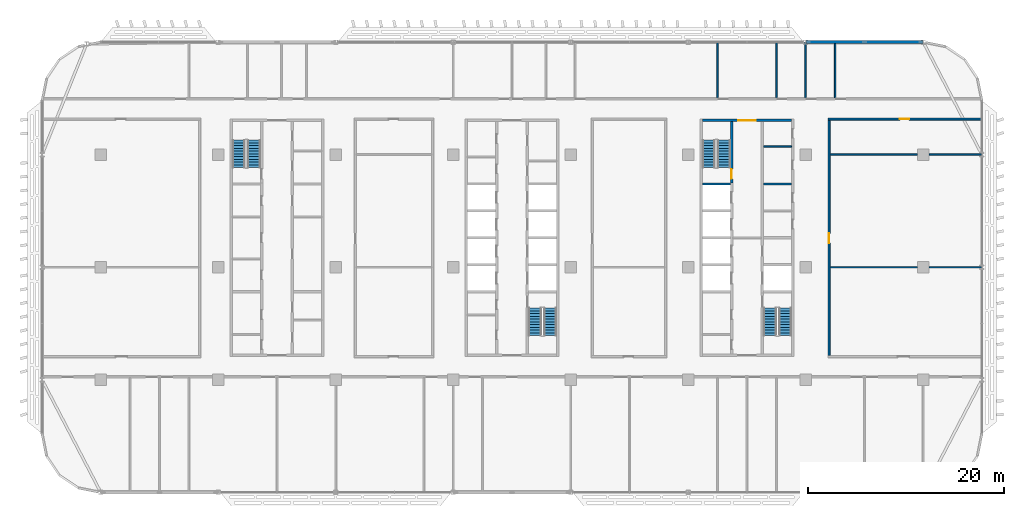
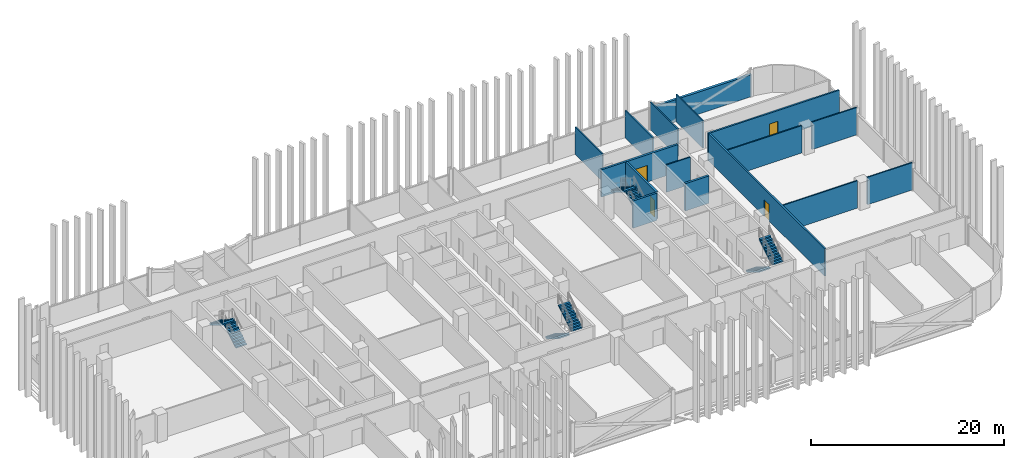
# One storey, part 17 of 28: 16 walls, 8 stair flights, 4 doors, 4 openings, 4 elements without a shape of their own.
"""IFC4 building model written with IfcOpenShell, lengths in metres."""

from ifc_helpers import new_model, si_unit, direction, frame, frame_2d, origin, place, context, subcontext, project, spatial, polyline, rectangle, outline, extrude, material, layer, layer_set, type_object, element, fill, aggregate, save


model = new_model("IFC4")

# Units and contexts
model_context = context("Model", 3, precision=1e-05, world=origin(), true_north=direction((0.0, 1.0)))
body_context = subcontext(model_context, "Body", "Model", "MODEL_VIEW")
ifc_project = project(units=[si_unit("LENGTHUNIT", "METRE"), si_unit("AREAUNIT", "SQUARE_METRE"), si_unit("VOLUMEUNIT", "CUBIC_METRE"), si_unit("PLANEANGLEUNIT", "RADIAN"), si_unit("MASSUNIT", "GRAM", prefix="KILO")], contexts=[model_context])

# Site, building, storey
site_placement = place(None, origin())
site = spatial("IfcSite", under=ifc_project, at=site_placement, CompositionType="ELEMENT")
building_placement = place(site_placement, origin())
building = spatial("IfcBuilding", under=site, at=building_placement, Name="Mahtab Terrace Research Tower", CompositionType="ELEMENT")
storey_placement = place(building_placement, frame((0.0, 0.0, 174.39990234375)))
storey = spatial("IfcBuildingStorey", under=building, at=storey_placement, Name="L41", CompositionType="ELEMENT", Elevation=174.39990234375)

# Wall
ifc_material_1 = material(Name="Gypsum board partition")
ifc_layer_1 = layer(ifc_material_1, 0.14990234375)
ifc_layer_set_1 = layer_set([ifc_layer_1], Name="Core partition 150")
wall_type_1 = type_object("IfcWallType", Name="Core partition 150", PredefinedType="PARTITIONING", material=ifc_layer_set_1)
wall_1_placement = place(storey_placement, frame((25.699951171875, 12.35498046875, 0.0), z_axis=(0.0, 0.0, 1.0), x_axis=(1.0, 0.0, 0.0)))
element("IfcWall", 1, at=wall_1_placement, inside=storey, type_object=wall_type_1, Name="Core wall C pEN936", PredefinedType="PARTITIONING", context=body_context, shape_type="SweptSolid", body=[
    extrude(rectangle(XDim=2.85009765625, YDim=0.14990234375, at=frame_2d((1.425048828125, 0.0))), origin(), (0.0, 0.0, 1.0), 3.460205078125),
])

# Wall, opening, door
ifc_material_2 = material(Name="Concrete C70/85", Category="concrete")
ifc_layer_2 = layer(ifc_material_2, 0.25)
ifc_layer_set_2 = layer_set([ifc_layer_2], Name="Core wall 250")
wall_type_2 = type_object("IfcWallType", Name="Core wall 250", PredefinedType="SOLIDWALL", material=ifc_layer_set_2)
wall_2_placement = place(storey_placement, frame((19.449951171875, 15.0, 0.0), z_axis=(0.0, 0.0, 1.0), x_axis=(1.0, 0.0, 0.0)))
wall_2 = element("IfcWall", 2, at=wall_2_placement, inside=storey, type_object=wall_type_2, Name="Core wall C endN", PredefinedType="SOLIDWALL", context=body_context, shape_type="SweptSolid", body=[
    extrude(rectangle(XDim=9.10009765625, YDim=0.25, at=frame_2d((4.550048828125, 0.0))), origin(), (0.0, 0.0, 1.0), 3.460205078125),
])
opening_1_placement = place(wall_2_placement, frame((3.64990234375, 0.0, 0.0)))
opening_1 = element("IfcOpeningElement", 3, at=opening_1_placement, cuts=wall_2, Name="Opening C-N1", PredefinedType="OPENING", context=body_context, shape_type="SweptSolid", body=[
    extrude(rectangle(XDim=1.800048828125, YDim=2.10009765625, at=frame_2d((0.89990234375, 1.050048828125))), frame((0.0, 0.135009765625, 0.0), z_axis=(0.0, -1.0, 0.0), x_axis=(1.0, 0.0, 0.0)), (0.0, 0.0, 1.0), 0.27001953125),
])
ifc_material_3 = material(Name="Steel fire door", Category="steel")
door_type_1 = type_object("IfcDoorType", Name="Lobby double door 1800x2100 1 HR", OperationType="DOUBLE_DOOR_SINGLE_SWING", PredefinedType="DOOR", material=ifc_material_3)
door_1_placement = place(opening_1_placement, origin())
door_1 = element("IfcDoor", 4, at=door_1_placement, inside=storey, type_object=door_type_1, Name="Core entrance door C N", OperationType="DOUBLE_DOOR_SINGLE_SWING", OverallHeight=2.10009765625, OverallWidth=1.800048828125, PredefinedType="DOOR", context=body_context, shape_type="SweptSolid", body=[
    extrude(rectangle(XDim=1.800048828125, YDim=2.10009765625, at=frame_2d((0.89990234375, 1.050048828125))), frame((0.0, 0.02490234375, 0.0), z_axis=(0.0, -1.0, 0.0), x_axis=(1.0, 0.0, 0.0)), (0.0, 0.0, 1.0), 0.050048828125),
])
fill(opening_1, door_1)

wall_3_placement = place(storey_placement, frame((22.425048828125, 14.875, 0.0), z_axis=(0.0, 0.0, 1.0), x_axis=(0.0, -1.0, 0.0)))
wall_3 = element("IfcWall", 5, at=wall_3_placement, inside=storey, type_object=wall_type_2, Name="Core wall C innerWN", PredefinedType="SOLIDWALL", context=body_context, shape_type="SweptSolid", body=[
    extrude(rectangle(XDim=6.25, YDim=0.25, at=frame_2d((3.125, 0.0))), origin(), (0.0, 0.0, 1.0), 3.460205078125),
])
opening_2_placement = place(wall_3_placement, frame((4.85009765625, 0.0, 0.0)))
opening_2 = element("IfcOpeningElement", 6, at=opening_2_placement, cuts=wall_3, Name="Opening C-ST3", PredefinedType="OPENING", context=body_context, shape_type="SweptSolid", body=[
    extrude(rectangle(XDim=1.0, YDim=2.10009765625, at=frame_2d((0.5, 1.050048828125))), frame((0.0, 0.135009765625, 0.0), z_axis=(0.0, -1.0, 0.0), x_axis=(1.0, 0.0, 0.0)), (0.0, 0.0, 1.0), 0.27001953125),
])
door_type_2 = type_object("IfcDoorType", Name="Stair door 1000x2100 1.5 HR", OperationType="NOTDEFINED", PredefinedType="DOOR", material=ifc_material_3)
door_2_placement = place(opening_2_placement, origin())
door_2 = element("IfcDoor", 7, at=door_2_placement, inside=storey, type_object=door_type_2, Name="Stair door ST3 L41", OperationType="SINGLE_SWING_RIGHT", OverallHeight=2.10009765625, OverallWidth=1.0, PredefinedType="DOOR", context=body_context, shape_type="SweptSolid", body=[
    extrude(rectangle(XDim=1.0, YDim=2.10009765625, at=frame_2d((0.5, 1.050048828125))), frame((0.0, 0.02490234375, 0.0), z_axis=(0.0, -1.0, 0.0), x_axis=(1.0, 0.0, 0.0)), (0.0, 0.0, 1.0), 0.050048828125),
])
fill(opening_2, door_2)

# Walls
for number, where, z_axis, x_axis, name in (
    (8, (19.449951171875, 8.5, 0.0), (0.0, 0.0, 1.0), (1.0, 0.0, 0.0), "Core wall C divW4"),
    (9, (25.699951171875, 8.5, 0.0), (0.0, 0.0, 1.0), (1.0, 0.0, 0.0), "Core wall C divE4"),
):
    element("IfcWall", number, at=place(storey_placement, frame(where, z_axis=z_axis, x_axis=x_axis)), inside=storey, type_object=wall_type_2, Name=name, PredefinedType="SOLIDWALL", context=body_context, shape_type="SweptSolid", body=[
        extrude(rectangle(XDim=2.85009765625, YDim=0.25, at=frame_2d((1.425048828125, 0.0))), origin(), (0.0, 0.0, 1.0), 3.460205078125),
    ])
ifc_material_4 = material(Name="Black aluminium cladding panel", Category="aluminium")
ifc_layer_3 = layer(ifc_material_4, 0.300048828125)
ifc_layer_set_3 = layer_set([ifc_layer_3], Name="Opaque facade wall 300")
wall_type_3 = type_object("IfcWallType", Name="Opaque facade wall 300", PredefinedType="NOTDEFINED", material=ifc_layer_set_3)
wall_4_placement = place(storey_placement, frame((41.985107421875, 23.0, 0.0), z_axis=(0.0, 0.0, 1.0), x_axis=(-1.0, 0.0, 0.0)))
element("IfcWall", 10, at=wall_4_placement, inside=storey, type_object=wall_type_3, Name="Opaque facade wall L41 N3", PredefinedType="NOTDEFINED", context=body_context, shape_type="SweptSolid", body=[
    extrude(rectangle(XDim=11.97021484375, YDim=0.300048828125, at=frame_2d((5.985107421875, 0.0))), origin(), (0.0, 0.0, 1.0), 2.781982421875),
])

# Wall, opening, door
ifc_material_5 = material(Name="Gypsum board corridor wall on steel studs", Category="steel")
ifc_layer_4 = layer(ifc_material_5, 0.199951171875)
ifc_layer_set_4 = layer_set([ifc_layer_4], Name="WALL CORRIDOR 200")
wall_type_4 = type_object("IfcWallType", Name="WALL CORRIDOR 200", PredefinedType="PARTITIONING", material=ifc_layer_set_4)
wall_5_placement = place(storey_placement, frame((32.300048828125, 15.125, 0.0), z_axis=(0.0, 0.0, 1.0), x_axis=(1.0, 0.0, 0.0)))
wall_5 = element("IfcWall", 11, at=wall_5_placement, inside=storey, type_object=wall_type_4, Name="L41-W026", PredefinedType="PARTITIONING", context=body_context, shape_type="SweptSolid", body=[
    extrude(rectangle(XDim=15.675048828125, YDim=0.199951171875, at=frame_2d((7.83740234375, 0.0))), origin(), (0.0, 0.0, 1.0), 3.460205078125),
])
opening_3_placement = place(wall_5_placement, frame((7.300048828125, 0.0, 0.0)))
opening_3 = element("IfcOpeningElement", 12, at=opening_3_placement, cuts=wall_5, Name="Opening L41-126", PredefinedType="OPENING", context=body_context, shape_type="SweptSolid", body=[
    extrude(rectangle(XDim=1.0, YDim=2.10009765625, at=frame_2d((0.5, 1.050048828125))), frame((0.0, 0.10986328125, 0.0), z_axis=(0.0, -1.0, 0.0), x_axis=(1.0, 0.0, 0.0)), (0.0, 0.0, 1.0), 0.219970703125),
])
ifc_material_6 = material(Name="Timber door leaf in steel frame", Category="steel")
door_type_3 = type_object("IfcDoorType", Name="DOOR 1000X2100 FD30S", OperationType="SINGLE_SWING_LEFT", PredefinedType="DOOR", material=ifc_material_6)
door_3_placement = place(opening_3_placement, origin())
door_3 = element("IfcDoor", 13, at=door_3_placement, inside=storey, type_object=door_type_3, Name="Door L41-126", OperationType="SINGLE_SWING_LEFT", OverallHeight=2.10009765625, OverallWidth=1.0, PredefinedType="DOOR", context=body_context, shape_type="SweptSolid", body=[
    extrude(rectangle(XDim=1.0, YDim=2.10009765625, at=frame_2d((0.5, 1.050048828125))), frame((0.0, 0.02490234375, 0.0), z_axis=(0.0, -1.0, 0.0), x_axis=(1.0, 0.0, 0.0)), (0.0, 0.0, 1.0), 0.050048828125),
])
fill(opening_3, door_3)

wall_6_placement = place(storey_placement, frame((32.39990234375, -9.02490234375, 0.0), z_axis=(0.0, 0.0, 1.0), x_axis=(0.0, 1.0, 0.0)))
wall_6 = element("IfcWall", 14, at=wall_6_placement, inside=storey, type_object=wall_type_4, Name="L41-W057", PredefinedType="PARTITIONING", context=body_context, shape_type="SweptSolid", body=[
    extrude(rectangle(XDim=24.0498046875, YDim=0.199951171875, at=frame_2d((12.02490234375, 0.0))), origin(), (0.0, 0.0, 1.0), 3.460205078125),
])
opening_4_placement = place(wall_6_placement, frame((11.5, 0.0, 0.0)))
opening_4 = element("IfcOpeningElement", 15, at=opening_4_placement, cuts=wall_6, Name="Opening L41-122", PredefinedType="OPENING", context=body_context, shape_type="SweptSolid", body=[
    extrude(rectangle(XDim=1.0, YDim=2.10009765625, at=frame_2d((0.5, 1.050048828125))), frame((0.0, 0.10986328125, 0.0), z_axis=(0.0, -1.0, 0.0), x_axis=(1.0, 0.0, 0.0)), (0.0, 0.0, 1.0), 0.219970703125),
])
door_4_placement = place(opening_4_placement, origin())
door_4 = element("IfcDoor", 16, at=door_4_placement, inside=storey, type_object=door_type_3, Name="Door L41-122", OperationType="SINGLE_SWING_RIGHT", OverallHeight=2.10009765625, OverallWidth=1.0, PredefinedType="DOOR", context=body_context, shape_type="SweptSolid", body=[
    extrude(rectangle(XDim=1.0, YDim=2.10009765625, at=frame_2d((0.5, 1.050048828125))), frame((0.0, 0.02490234375, 0.0), z_axis=(0.0, -1.0, 0.0), x_axis=(1.0, 0.0, 0.0)), (0.0, 0.0, 1.0), 0.050048828125),
])
fill(opening_4, door_4)

# Walls
ifc_material_7 = material(Name="Gypsum board partition on steel studs", Category="steel")
ifc_layer_5 = layer(ifc_material_7, 0.14990234375)
ifc_layer_set_5 = layer_set([ifc_layer_5], Name="WALL PARTITION 150")
wall_type_5 = type_object("IfcWallType", Name="WALL PARTITION 150", PredefinedType="PARTITIONING", material=ifc_layer_set_5)
wall_7_placement = place(storey_placement, frame((32.5, 0.0, 0.0), z_axis=(0.0, 0.0, 1.0), x_axis=(1.0, 0.0, 0.0)))
element("IfcWall", 17, at=wall_7_placement, inside=storey, type_object=wall_type_5, Name="L41-W018", PredefinedType="PARTITIONING", context=body_context, shape_type="SweptSolid", body=[
    extrude(rectangle(XDim=8.89990234375, YDim=0.14990234375, at=frame_2d((4.449951171875, 0.0))), origin(), (0.0, 0.0, 1.0), 3.460205078125),
])
wall_8_placement = place(storey_placement, frame((42.60009765625, 0.0, 0.0), z_axis=(0.0, 0.0, 1.0), x_axis=(1.0, 0.0, 0.0)))
element("IfcWall", 18, at=wall_8_placement, inside=storey, type_object=wall_type_5, Name="L41-W019", PredefinedType="PARTITIONING", context=body_context, shape_type="SweptSolid", body=[
    extrude(rectangle(XDim=5.375, YDim=0.14990234375, at=frame_2d((2.6875, 0.0))), origin(), (0.0, 0.0, 1.0), 3.460205078125),
])
wall_9_placement = place(storey_placement, frame((32.5, 11.5, 0.0), z_axis=(0.0, 0.0, 1.0), x_axis=(1.0, 0.0, 0.0)))
element("IfcWall", 19, at=wall_9_placement, inside=storey, type_object=wall_type_5, Name="L41-W021", PredefinedType="PARTITIONING", context=body_context, shape_type="SweptSolid", body=[
    extrude(rectangle(XDim=8.89990234375, YDim=0.14990234375, at=frame_2d((4.449951171875, 0.0))), origin(), (0.0, 0.0, 1.0), 3.460205078125),
])
wall_10_placement = place(storey_placement, frame((42.60009765625, 11.5, 0.0), z_axis=(0.0, 0.0, 1.0), x_axis=(1.0, 0.0, 0.0)))
element("IfcWall", 20, at=wall_10_placement, inside=storey, type_object=wall_type_5, Name="L41-W022", PredefinedType="PARTITIONING", context=body_context, shape_type="SweptSolid", body=[
    extrude(rectangle(XDim=5.375, YDim=0.14990234375, at=frame_2d((2.6875, 0.0))), origin(), (0.0, 0.0, 1.0), 3.460205078125),
])
for number, where, z_axis, x_axis, name in (
    (21, (21.0, 17.300048828125, 0.0), (0.0, 0.0, 1.0), (0.0, 1.0, 0.0), "L41-W052"),
    (22, (27.0, 17.300048828125, 0.0), (0.0, 0.0, 1.0), (0.0, 1.0, 0.0), "L41-W055"),
    (23, (30.0, 17.300048828125, 0.0), (0.0, 0.0, 1.0), (0.0, 1.0, 0.0), "L41-W056"),
):
    element("IfcWall", number, at=place(storey_placement, frame(where, z_axis=z_axis, x_axis=x_axis)), inside=storey, type_object=wall_type_5, Name=name, PredefinedType="PARTITIONING", context=body_context, shape_type="SweptSolid", body=[
        extrude(rectangle(XDim=5.675048828125, YDim=0.14990234375, at=frame_2d((2.83740234375, 0.0))), origin(), (0.0, 0.0, 1.0), 3.460205078125),
    ])
wall_11_placement = place(storey_placement, frame((33.0, 17.300048828125, 0.0), z_axis=(0.0, 0.0, 1.0), x_axis=(0.0, 1.0, 0.0)))
element("IfcWall", 24, at=wall_11_placement, inside=storey, type_object=wall_type_5, Name="L41-W058", PredefinedType="PARTITIONING", context=body_context, shape_type="SweptSolid", body=[
    extrude(rectangle(XDim=5.550048828125, YDim=0.14990234375, at=frame_2d((2.77490234375, 0.0))), origin(), (0.0, 0.0, 1.0), 3.460205078125),
])

# Stair, stair flights
ifc_material_8 = material(Name="Exit stair half-turn")
stair_type = type_object("IfcStairType", Name="Exit stair half-turn", PredefinedType="HALF_TURN_STAIR", material=ifc_material_8)
stair_1_placement = place(storey_placement, origin())
stair_1 = element("IfcStair", 25, at=stair_1_placement, inside=storey, type_object=stair_type, Name="L41 Protected exit stair ST1", PredefinedType="HALF_TURN_STAIR")
ifc_material_9 = material(Name="Concrete C40/50", Category="concrete")
stair_flight_type = type_object("IfcStairFlightType", Name="Exit stair flight 1300", PredefinedType="STRAIGHT", material=ifc_material_9)
stair_flight_1_placement = place(storey_placement, frame((-26.35009765625, 10.175048828125, 0.0), z_axis=(0.0, 0.0, 1.0), x_axis=(0.0, 1.0, 0.0)))
stair_flight_1 = element("IfcStairFlight", 26, at=stair_flight_1_placement, type_object=stair_flight_type, Name="ST1 flight 1", NumberOfRisers=11, NumberOfTreads=10, PredefinedType="STRAIGHT", RiserHeight=0.172727273, TreadLength=0.28, context=body_context, shape_type="SweptSolid", body=[
    extrude(outline(polyline([(0.0, 0.0), (0.0, 0.172607421875), (0.280029296875, 0.172607421875), (0.280029296875, 0.345458984375), (0.56005859375, 0.345458984375), (0.56005859375, 0.51806640625), (0.840087890625, 0.51806640625), (0.840087890625, 0.69091796875), (1.1201171875, 0.69091796875), (1.1201171875, 0.863525390625), (1.39990234375, 0.863525390625), (1.39990234375, 1.036376953125), (1.679931640625, 1.036376953125), (1.679931640625, 1.208984375), (1.9599609375, 1.208984375), (1.9599609375, 1.3818359375), (2.239990234375, 1.3818359375), (2.239990234375, 1.554443359375), (2.52001953125, 1.554443359375), (2.52001953125, 1.727294921875), (2.800048828125, 1.727294921875), (2.800048828125, 1.89990234375), (2.800048828125, 1.551025390625), (0.285400390625, 0.0), (0.0, 0.0)])), frame((0.0, 0.64990234375, 0.0), z_axis=(0.0, -1.0, 0.0), x_axis=(1.0, 0.0, 0.0)), (0.0, 0.0, 1.0), 1.300048828125),
])
stair_flight_2_placement = place(storey_placement, frame((-27.89990234375, 12.97509765625, 1.900146484375), z_axis=(0.0, 0.0, 1.0), x_axis=(0.0, -1.0, 0.0)))
stair_flight_2 = element("IfcStairFlight", 27, at=stair_flight_2_placement, type_object=stair_flight_type, Name="ST1 flight 2", NumberOfRisers=11, NumberOfTreads=10, PredefinedType="STRAIGHT", RiserHeight=0.172727273, TreadLength=0.28, context=body_context, shape_type="SweptSolid", body=[
    extrude(outline(polyline([(0.0, 0.0), (0.0, 0.172607421875), (0.280029296875, 0.172607421875), (0.280029296875, 0.345458984375), (0.56005859375, 0.345458984375), (0.56005859375, 0.51806640625), (0.840087890625, 0.51806640625), (0.840087890625, 0.69091796875), (1.1201171875, 0.69091796875), (1.1201171875, 0.863525390625), (1.39990234375, 0.863525390625), (1.39990234375, 1.036376953125), (1.679931640625, 1.036376953125), (1.679931640625, 1.208984375), (1.9599609375, 1.208984375), (1.9599609375, 1.3818359375), (2.239990234375, 1.3818359375), (2.239990234375, 1.554443359375), (2.52001953125, 1.554443359375), (2.52001953125, 1.727294921875), (2.800048828125, 1.727294921875), (2.800048828125, 1.89990234375), (2.800048828125, 1.551025390625), (0.285400390625, 0.0), (0.0, 0.0)])), frame((0.0, 0.64990234375, 0.0), z_axis=(0.0, -1.0, 0.0), x_axis=(1.0, 0.0, 0.0)), (0.0, 0.0, 1.0), 1.300048828125),
])
aggregate(stair_1, [stair_flight_1, stair_flight_2])

stair_2_placement = place(storey_placement, origin())
stair_2 = element("IfcStair", 28, at=stair_2_placement, inside=storey, type_object=stair_type, Name="L41 Protected exit stair ST2", PredefinedType="HALF_TURN_STAIR")
stair_flight_3_placement = place(storey_placement, frame((2.35009765625, -4.175048828125, 0.0), z_axis=(0.0, 0.0, 1.0), x_axis=(0.0, -1.0, 0.0)))
stair_flight_3 = element("IfcStairFlight", 29, at=stair_flight_3_placement, type_object=stair_flight_type, Name="ST2 flight 1", NumberOfRisers=11, NumberOfTreads=10, PredefinedType="STRAIGHT", RiserHeight=0.172727273, TreadLength=0.28, context=body_context, shape_type="SweptSolid", body=[
    extrude(outline(polyline([(0.0, 0.0), (0.0, 0.172607421875), (0.280029296875, 0.172607421875), (0.280029296875, 0.345458984375), (0.56005859375, 0.345458984375), (0.56005859375, 0.51806640625), (0.840087890625, 0.51806640625), (0.840087890625, 0.69091796875), (1.1201171875, 0.69091796875), (1.1201171875, 0.863525390625), (1.39990234375, 0.863525390625), (1.39990234375, 1.036376953125), (1.679931640625, 1.036376953125), (1.679931640625, 1.208984375), (1.9599609375, 1.208984375), (1.9599609375, 1.3818359375), (2.239990234375, 1.3818359375), (2.239990234375, 1.554443359375), (2.52001953125, 1.554443359375), (2.52001953125, 1.727294921875), (2.800048828125, 1.727294921875), (2.800048828125, 1.89990234375), (2.800048828125, 1.551025390625), (0.285400390625, 0.0), (0.0, 0.0)])), frame((0.0, 0.64990234375, 0.0), z_axis=(0.0, -1.0, 0.0), x_axis=(1.0, 0.0, 0.0)), (0.0, 0.0, 1.0), 1.300048828125),
])
stair_flight_4_placement = place(storey_placement, frame((3.89990234375, -6.97509765625, 1.900146484375), z_axis=(0.0, 0.0, 1.0), x_axis=(0.0, 1.0, 0.0)))
stair_flight_4 = element("IfcStairFlight", 30, at=stair_flight_4_placement, type_object=stair_flight_type, Name="ST2 flight 2", NumberOfRisers=11, NumberOfTreads=10, PredefinedType="STRAIGHT", RiserHeight=0.172727273, TreadLength=0.28, context=body_context, shape_type="SweptSolid", body=[
    extrude(outline(polyline([(0.0, 0.0), (0.0, 0.172607421875), (0.280029296875, 0.172607421875), (0.280029296875, 0.345458984375), (0.56005859375, 0.345458984375), (0.56005859375, 0.51806640625), (0.840087890625, 0.51806640625), (0.840087890625, 0.69091796875), (1.1201171875, 0.69091796875), (1.1201171875, 0.863525390625), (1.39990234375, 0.863525390625), (1.39990234375, 1.036376953125), (1.679931640625, 1.036376953125), (1.679931640625, 1.208984375), (1.9599609375, 1.208984375), (1.9599609375, 1.3818359375), (2.239990234375, 1.3818359375), (2.239990234375, 1.554443359375), (2.52001953125, 1.554443359375), (2.52001953125, 1.727294921875), (2.800048828125, 1.727294921875), (2.800048828125, 1.89990234375), (2.800048828125, 1.551025390625), (0.285400390625, 0.0), (0.0, 0.0)])), frame((0.0, 0.64990234375, 0.0), z_axis=(0.0, -1.0, 0.0), x_axis=(1.0, 0.0, 0.0)), (0.0, 0.0, 1.0), 1.300048828125),
])
aggregate(stair_2, [stair_flight_3, stair_flight_4])

stair_3_placement = place(storey_placement, origin())
stair_3 = element("IfcStair", 31, at=stair_3_placement, inside=storey, type_object=stair_type, Name="L41 Protected exit stair ST3", PredefinedType="HALF_TURN_STAIR")
stair_flight_5_placement = place(storey_placement, frame((21.64990234375, 10.175048828125, 0.0), z_axis=(0.0, 0.0, 1.0), x_axis=(0.0, 1.0, 0.0)))
stair_flight_5 = element("IfcStairFlight", 32, at=stair_flight_5_placement, type_object=stair_flight_type, Name="ST3 flight 1", NumberOfRisers=11, NumberOfTreads=10, PredefinedType="STRAIGHT", RiserHeight=0.172727273, TreadLength=0.28, context=body_context, shape_type="SweptSolid", body=[
    extrude(outline(polyline([(0.0, 0.0), (0.0, 0.172607421875), (0.280029296875, 0.172607421875), (0.280029296875, 0.345458984375), (0.56005859375, 0.345458984375), (0.56005859375, 0.51806640625), (0.840087890625, 0.51806640625), (0.840087890625, 0.69091796875), (1.1201171875, 0.69091796875), (1.1201171875, 0.863525390625), (1.39990234375, 0.863525390625), (1.39990234375, 1.036376953125), (1.679931640625, 1.036376953125), (1.679931640625, 1.208984375), (1.9599609375, 1.208984375), (1.9599609375, 1.3818359375), (2.239990234375, 1.3818359375), (2.239990234375, 1.554443359375), (2.52001953125, 1.554443359375), (2.52001953125, 1.727294921875), (2.800048828125, 1.727294921875), (2.800048828125, 1.89990234375), (2.800048828125, 1.551025390625), (0.285400390625, 0.0), (0.0, 0.0)])), frame((0.0, 0.64990234375, 0.0), z_axis=(0.0, -1.0, 0.0), x_axis=(1.0, 0.0, 0.0)), (0.0, 0.0, 1.0), 1.300048828125),
])
stair_flight_6_placement = place(storey_placement, frame((20.10009765625, 12.97509765625, 1.900146484375), z_axis=(0.0, 0.0, 1.0), x_axis=(0.0, -1.0, 0.0)))
stair_flight_6 = element("IfcStairFlight", 33, at=stair_flight_6_placement, type_object=stair_flight_type, Name="ST3 flight 2", NumberOfRisers=11, NumberOfTreads=10, PredefinedType="STRAIGHT", RiserHeight=0.172727273, TreadLength=0.28, context=body_context, shape_type="SweptSolid", body=[
    extrude(outline(polyline([(0.0, 0.0), (0.0, 0.172607421875), (0.280029296875, 0.172607421875), (0.280029296875, 0.345458984375), (0.56005859375, 0.345458984375), (0.56005859375, 0.51806640625), (0.840087890625, 0.51806640625), (0.840087890625, 0.69091796875), (1.1201171875, 0.69091796875), (1.1201171875, 0.863525390625), (1.39990234375, 0.863525390625), (1.39990234375, 1.036376953125), (1.679931640625, 1.036376953125), (1.679931640625, 1.208984375), (1.9599609375, 1.208984375), (1.9599609375, 1.3818359375), (2.239990234375, 1.3818359375), (2.239990234375, 1.554443359375), (2.52001953125, 1.554443359375), (2.52001953125, 1.727294921875), (2.800048828125, 1.727294921875), (2.800048828125, 1.89990234375), (2.800048828125, 1.551025390625), (0.285400390625, 0.0), (0.0, 0.0)])), frame((0.0, 0.64990234375, 0.0), z_axis=(0.0, -1.0, 0.0), x_axis=(1.0, 0.0, 0.0)), (0.0, 0.0, 1.0), 1.300048828125),
])
aggregate(stair_3, [stair_flight_5, stair_flight_6])

stair_4_placement = place(storey_placement, origin())
stair_4 = element("IfcStair", 34, at=stair_4_placement, inside=storey, type_object=stair_type, Name="L41 Protected exit stair ST4", PredefinedType="HALF_TURN_STAIR")
stair_flight_7_placement = place(storey_placement, frame((26.35009765625, -4.175048828125, 0.0), z_axis=(0.0, 0.0, 1.0), x_axis=(0.0, -1.0, 0.0)))
stair_flight_7 = element("IfcStairFlight", 35, at=stair_flight_7_placement, type_object=stair_flight_type, Name="ST4 flight 1", NumberOfRisers=11, NumberOfTreads=10, PredefinedType="STRAIGHT", RiserHeight=0.172727273, TreadLength=0.28, context=body_context, shape_type="SweptSolid", body=[
    extrude(outline(polyline([(0.0, 0.0), (0.0, 0.172607421875), (0.280029296875, 0.172607421875), (0.280029296875, 0.345458984375), (0.56005859375, 0.345458984375), (0.56005859375, 0.51806640625), (0.840087890625, 0.51806640625), (0.840087890625, 0.69091796875), (1.1201171875, 0.69091796875), (1.1201171875, 0.863525390625), (1.39990234375, 0.863525390625), (1.39990234375, 1.036376953125), (1.679931640625, 1.036376953125), (1.679931640625, 1.208984375), (1.9599609375, 1.208984375), (1.9599609375, 1.3818359375), (2.239990234375, 1.3818359375), (2.239990234375, 1.554443359375), (2.52001953125, 1.554443359375), (2.52001953125, 1.727294921875), (2.800048828125, 1.727294921875), (2.800048828125, 1.89990234375), (2.800048828125, 1.551025390625), (0.285400390625, 0.0), (0.0, 0.0)])), frame((0.0, 0.64990234375, 0.0), z_axis=(0.0, -1.0, 0.0), x_axis=(1.0, 0.0, 0.0)), (0.0, 0.0, 1.0), 1.300048828125),
])
stair_flight_8_placement = place(storey_placement, frame((27.89990234375, -6.97509765625, 1.900146484375), z_axis=(0.0, 0.0, 1.0), x_axis=(0.0, 1.0, 0.0)))
stair_flight_8 = element("IfcStairFlight", 36, at=stair_flight_8_placement, type_object=stair_flight_type, Name="ST4 flight 2", NumberOfRisers=11, NumberOfTreads=10, PredefinedType="STRAIGHT", RiserHeight=0.172727273, TreadLength=0.28, context=body_context, shape_type="SweptSolid", body=[
    extrude(outline(polyline([(0.0, 0.0), (0.0, 0.172607421875), (0.280029296875, 0.172607421875), (0.280029296875, 0.345458984375), (0.56005859375, 0.345458984375), (0.56005859375, 0.51806640625), (0.840087890625, 0.51806640625), (0.840087890625, 0.69091796875), (1.1201171875, 0.69091796875), (1.1201171875, 0.863525390625), (1.39990234375, 0.863525390625), (1.39990234375, 1.036376953125), (1.679931640625, 1.036376953125), (1.679931640625, 1.208984375), (1.9599609375, 1.208984375), (1.9599609375, 1.3818359375), (2.239990234375, 1.3818359375), (2.239990234375, 1.554443359375), (2.52001953125, 1.554443359375), (2.52001953125, 1.727294921875), (2.800048828125, 1.727294921875), (2.800048828125, 1.89990234375), (2.800048828125, 1.551025390625), (0.285400390625, 0.0), (0.0, 0.0)])), frame((0.0, 0.64990234375, 0.0), z_axis=(0.0, -1.0, 0.0), x_axis=(1.0, 0.0, 0.0)), (0.0, 0.0, 1.0), 1.300048828125),
])
aggregate(stair_4, [stair_flight_7, stair_flight_8])

save(model, "model.ifc")
